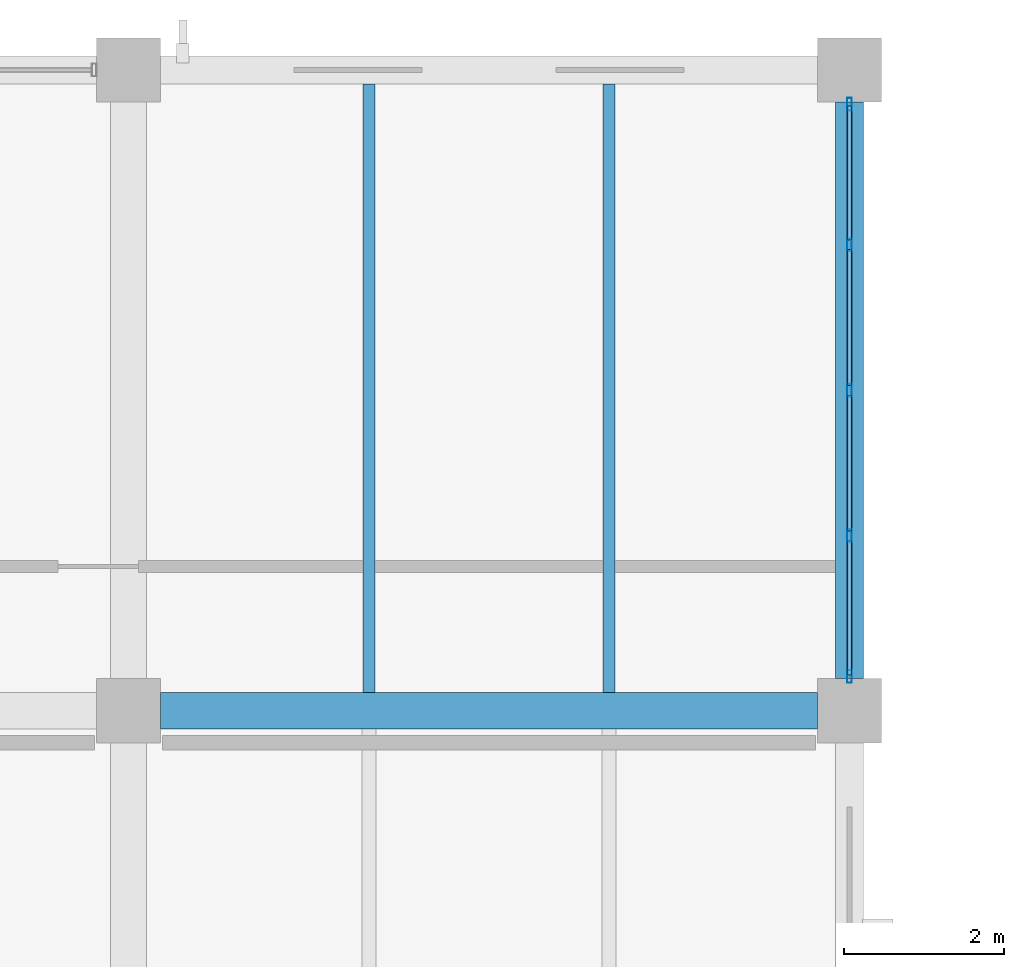
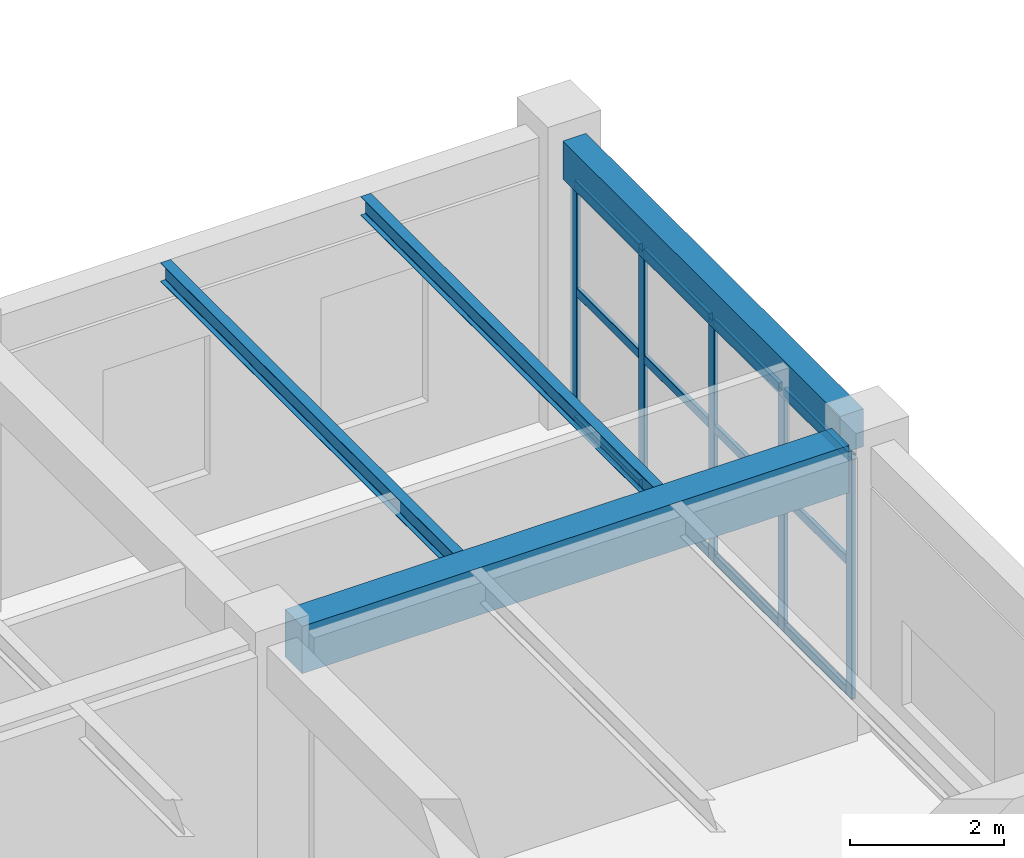
# One storey, part 95 of 178: 17 members, 4 beams, 1 element without a shape of its own.
"""IFC4 building model written with IfcOpenShell, lengths in metres."""

from ifc_helpers import new_model, si_unit, derived_unit, direction, frame, origin, origin_2d, place, context, subcontext, project, spatial, rectangle, hollow_rectangle, i_section, extrude, material, material_profile, profile_set, type_object, element, aggregate, save


model = new_model("IFC4")

# Units and contexts
model_context = context("Model", 3, precision=1e-05, world=origin(), true_north=direction((0.0, 1.0)))
body_context = subcontext(model_context, "Body", "Model", "MODEL_VIEW")
ifc_project = project(units=[si_unit("LENGTHUNIT", "METRE"), si_unit("AREAUNIT", "SQUARE_METRE"), si_unit("VOLUMEUNIT", "CUBIC_METRE"), si_unit("PLANEANGLEUNIT", "RADIAN"), si_unit("MASSUNIT", "GRAM", prefix="KILO"), derived_unit("THERMALTRANSMITTANCEUNIT", [(si_unit("MASSUNIT", "GRAM", prefix="KILO"), 1), (si_unit("TIMEUNIT", "SECOND"), -3), (si_unit("THERMODYNAMICTEMPERATUREUNIT", "KELVIN"), -1)])], contexts=[model_context])

# Site, building, storey
site_placement = place(None, origin())
site = spatial("IfcSite", under=ifc_project, at=site_placement, CompositionType="ELEMENT")
building_placement = place(site_placement, origin())
building = spatial("IfcBuilding", under=site, at=building_placement, Name="Zhenchuan Archway Interchange", CompositionType="ELEMENT")
storey_placement = place(building_placement, frame((0.0, 0.0, 5.39990234375)))
storey = spatial("IfcBuildingStorey", under=building, at=storey_placement, Name="L01", CompositionType="ELEMENT", Elevation=5.39990234375)

# Beam
ifc_material_1 = material(Name="Concrete C40", Category="concrete")
ifc_material_profile_1 = material_profile(ifc_material_1, rectangle(XDim=0.449951171875, YDim=0.75, at=origin_2d()), Name="RC 450x750")
ifc_profile_set_1 = profile_set([ifc_material_profile_1], Name="Concrete C40")
beam_type_1 = type_object("IfcBeamType", Name="BM_RC_450x750", PredefinedType="BEAM", material=ifc_profile_set_1)
beam_1_placement = place(storey_placement, frame((45.39990234375, 104.0, 4.135009765625), z_axis=(1.0, 0.0, 0.0), x_axis=(0.0, 1.0, 0.0)))
element("IfcBeam", 1, at=beam_1_placement, inside=storey, type_object=beam_type_1, Name="Beam O:6-7 (L01)", PredefinedType="BEAM", context=body_context, shape_type="SweptSolid", body=[
    extrude(rectangle(XDim=0.449951171875, YDim=0.75, at=origin_2d()), origin(), (0.0, 0.0, 1.0), 8.2001953125),
])

# Curtain wall, members
ifc_material_2 = material(Name="Anodised Aluminium", Category="aluminium")
curtain_wall_type = type_object("IfcCurtainWallType", Name="CW_UNIT_3", PredefinedType="NOTDEFINED", material=ifc_material_2)
curtain_wall_placement = place(storey_placement, origin())
curtain_wall = element("IfcCurtainWall", 2, at=curtain_wall_placement, inside=storey, type_object=curtain_wall_type, Name="Unitised curtain wall CW:L01:050", PredefinedType="NOTDEFINED")
ifc_material_profile_2 = material_profile(ifc_material_2, hollow_rectangle(XDim=0.06005859375, YDim=0.159912109375, WallThickness=0.00390625, InnerFilletRadius=0.00390625, OuterFilletRadius=0.008056640625, at=origin_2d()), Name="ALU 160x60x4")
ifc_profile_set_2 = profile_set([ifc_material_profile_2], Name="Anodised Aluminium")
member_type_1 = type_object("IfcMemberType", Name="CW_MUL_150", PredefinedType="MULLION", material=ifc_profile_set_2)
member_1_placement = place(storey_placement, frame((54.0, 111.572021484375, 0.0), z_axis=(0.0, 0.0, 1.0), x_axis=(1.0, 0.0, 0.0)))
member_1 = element("IfcMember", 3, at=member_1_placement, type_object=member_type_1, Name="CW:L01:050 mullion 0", PredefinedType="MULLION", context=body_context, shape_type="SweptSolid", body=[
    extrude(hollow_rectangle(XDim=0.06005859375, YDim=0.159912109375, WallThickness=0.00390625, InnerFilletRadius=0.00390625, OuterFilletRadius=0.008056640625, at=origin_2d()), origin(), (0.0, 0.0, 1.0), 3.880126953125),
])
member_2_placement = place(storey_placement, frame((54.0, 109.81591796875, 0.0), z_axis=(0.0, 0.0, 1.0), x_axis=(1.0, 0.0, 0.0)))
member_2 = element("IfcMember", 4, at=member_2_placement, type_object=member_type_1, Name="CW:L01:050 mullion 1", PredefinedType="MULLION", context=body_context, shape_type="SweptSolid", body=[
    extrude(hollow_rectangle(XDim=0.06005859375, YDim=0.159912109375, WallThickness=0.00390625, InnerFilletRadius=0.00390625, OuterFilletRadius=0.008056640625, at=origin_2d()), origin(), (0.0, 0.0, 1.0), 3.880126953125),
])
member_3_placement = place(storey_placement, frame((54.0, 108.0, 0.0), z_axis=(0.0, 0.0, 1.0), x_axis=(1.0, 0.0, 0.0)))
member_3 = element("IfcMember", 5, at=member_3_placement, type_object=member_type_1, Name="CW:L01:050 mullion 2", PredefinedType="MULLION", context=body_context, shape_type="SweptSolid", body=[
    extrude(hollow_rectangle(XDim=0.06005859375, YDim=0.159912109375, WallThickness=0.00390625, InnerFilletRadius=0.00390625, OuterFilletRadius=0.008056640625, at=origin_2d()), origin(), (0.0, 0.0, 1.0), 3.880126953125),
])
member_4_placement = place(storey_placement, frame((54.0, 106.18408203125, 0.0), z_axis=(0.0, 0.0, 1.0), x_axis=(1.0, 0.0, 0.0)))
member_4 = element("IfcMember", 6, at=member_4_placement, type_object=member_type_1, Name="CW:L01:050 mullion 3", PredefinedType="MULLION", context=body_context, shape_type="SweptSolid", body=[
    extrude(hollow_rectangle(XDim=0.06005859375, YDim=0.159912109375, WallThickness=0.00390625, InnerFilletRadius=0.00390625, OuterFilletRadius=0.008056640625, at=origin_2d()), origin(), (0.0, 0.0, 1.0), 3.880126953125),
])
member_5_placement = place(storey_placement, frame((54.0, 104.427978515625, 0.0), z_axis=(0.0, 0.0, 1.0), x_axis=(1.0, 0.0, 0.0)))
member_5 = element("IfcMember", 7, at=member_5_placement, type_object=member_type_1, Name="CW:L01:050 mullion 4", PredefinedType="MULLION", context=body_context, shape_type="SweptSolid", body=[
    extrude(hollow_rectangle(XDim=0.06005859375, YDim=0.159912109375, WallThickness=0.00390625, InnerFilletRadius=0.00390625, OuterFilletRadius=0.008056640625, at=origin_2d()), origin(), (0.0, 0.0, 1.0), 3.880126953125),
])
ifc_material_profile_3 = material_profile(ifc_material_2, hollow_rectangle(XDim=0.06005859375, YDim=0.139892578125, WallThickness=0.00341796875, InnerFilletRadius=0.00341796875, OuterFilletRadius=0.007080078125, at=origin_2d()), Name="ALU 140x60x3.5")
ifc_profile_set_3 = profile_set([ifc_material_profile_3], Name="Anodised Aluminium")
member_type_2 = type_object("IfcMemberType", Name="CW_TRN_140", PredefinedType="USERDEFINED", material=ifc_profile_set_3)
member_6_placement = place(storey_placement, frame((54.0, 111.552001953125, 0.06005859375), z_axis=(0.0, -1.0, 0.0), x_axis=(1.0, 0.0, 0.0)))
member_6 = element("IfcMember", 8, at=member_6_placement, type_object=member_type_2, Name="CW:L01:050 transom 0-1", ObjectType="TRANSOM", PredefinedType="USERDEFINED", context=body_context, shape_type="SweptSolid", body=[
    extrude(hollow_rectangle(XDim=0.06005859375, YDim=0.139892578125, WallThickness=0.00341796875, InnerFilletRadius=0.00341796875, OuterFilletRadius=0.007080078125, at=origin_2d()), origin(), (0.0, 0.0, 1.0), 1.676025390625),
])
member_7_placement = place(storey_placement, frame((54.0, 111.552001953125, 2.123046875), z_axis=(0.0, -1.0, 0.0), x_axis=(1.0, 0.0, 0.0)))
member_7 = element("IfcMember", 9, at=member_7_placement, type_object=member_type_2, Name="CW:L01:050 transom 0-2", ObjectType="TRANSOM", PredefinedType="USERDEFINED", context=body_context, shape_type="SweptSolid", body=[
    extrude(hollow_rectangle(XDim=0.06005859375, YDim=0.139892578125, WallThickness=0.00341796875, InnerFilletRadius=0.00341796875, OuterFilletRadius=0.007080078125, at=origin_2d()), origin(), (0.0, 0.0, 1.0), 1.676025390625),
])
member_8_placement = place(storey_placement, frame((54.0, 111.552001953125, 3.800048828125), z_axis=(0.0, -1.0, 0.0), x_axis=(1.0, 0.0, 0.0)))
member_8 = element("IfcMember", 10, at=member_8_placement, type_object=member_type_2, Name="CW:L01:050 transom 0-3", ObjectType="TRANSOM", PredefinedType="USERDEFINED", context=body_context, shape_type="SweptSolid", body=[
    extrude(hollow_rectangle(XDim=0.06005859375, YDim=0.139892578125, WallThickness=0.00341796875, InnerFilletRadius=0.00341796875, OuterFilletRadius=0.007080078125, at=origin_2d()), origin(), (0.0, 0.0, 1.0), 1.676025390625),
])
member_9_placement = place(storey_placement, frame((54.0, 109.756103515625, 0.06005859375), z_axis=(0.0, -1.0, 0.0), x_axis=(1.0, 0.0, 0.0)))
member_9 = element("IfcMember", 11, at=member_9_placement, type_object=member_type_2, Name="CW:L01:050 transom 1-1", ObjectType="TRANSOM", PredefinedType="USERDEFINED", context=body_context, shape_type="SweptSolid", body=[
    extrude(hollow_rectangle(XDim=0.06005859375, YDim=0.139892578125, WallThickness=0.00341796875, InnerFilletRadius=0.00341796875, OuterFilletRadius=0.007080078125, at=origin_2d()), origin(), (0.0, 0.0, 1.0), 1.696044921875),
])
member_10_placement = place(storey_placement, frame((54.0, 109.756103515625, 2.123046875), z_axis=(0.0, -1.0, 0.0), x_axis=(1.0, 0.0, 0.0)))
member_10 = element("IfcMember", 12, at=member_10_placement, type_object=member_type_2, Name="CW:L01:050 transom 1-2", ObjectType="TRANSOM", PredefinedType="USERDEFINED", context=body_context, shape_type="SweptSolid", body=[
    extrude(hollow_rectangle(XDim=0.06005859375, YDim=0.139892578125, WallThickness=0.00341796875, InnerFilletRadius=0.00341796875, OuterFilletRadius=0.007080078125, at=origin_2d()), origin(), (0.0, 0.0, 1.0), 1.696044921875),
])
member_11_placement = place(storey_placement, frame((54.0, 109.756103515625, 3.800048828125), z_axis=(0.0, -1.0, 0.0), x_axis=(1.0, 0.0, 0.0)))
member_11 = element("IfcMember", 13, at=member_11_placement, type_object=member_type_2, Name="CW:L01:050 transom 1-3", ObjectType="TRANSOM", PredefinedType="USERDEFINED", context=body_context, shape_type="SweptSolid", body=[
    extrude(hollow_rectangle(XDim=0.06005859375, YDim=0.139892578125, WallThickness=0.00341796875, InnerFilletRadius=0.00341796875, OuterFilletRadius=0.007080078125, at=origin_2d()), origin(), (0.0, 0.0, 1.0), 1.696044921875),
])
member_12_placement = place(storey_placement, frame((54.0, 107.93994140625, 0.06005859375), z_axis=(0.0, -1.0, 0.0), x_axis=(1.0, 0.0, 0.0)))
member_12 = element("IfcMember", 14, at=member_12_placement, type_object=member_type_2, Name="CW:L01:050 transom 2-1", ObjectType="TRANSOM", PredefinedType="USERDEFINED", context=body_context, shape_type="SweptSolid", body=[
    extrude(hollow_rectangle(XDim=0.06005859375, YDim=0.139892578125, WallThickness=0.00341796875, InnerFilletRadius=0.00341796875, OuterFilletRadius=0.007080078125, at=origin_2d()), origin(), (0.0, 0.0, 1.0), 1.696044921875),
])
member_13_placement = place(storey_placement, frame((54.0, 107.93994140625, 2.123046875), z_axis=(0.0, -1.0, 0.0), x_axis=(1.0, 0.0, 0.0)))
member_13 = element("IfcMember", 15, at=member_13_placement, type_object=member_type_2, Name="CW:L01:050 transom 2-2", ObjectType="TRANSOM", PredefinedType="USERDEFINED", context=body_context, shape_type="SweptSolid", body=[
    extrude(hollow_rectangle(XDim=0.06005859375, YDim=0.139892578125, WallThickness=0.00341796875, InnerFilletRadius=0.00341796875, OuterFilletRadius=0.007080078125, at=origin_2d()), origin(), (0.0, 0.0, 1.0), 1.696044921875),
])
member_14_placement = place(storey_placement, frame((54.0, 107.93994140625, 3.800048828125), z_axis=(0.0, -1.0, 0.0), x_axis=(1.0, 0.0, 0.0)))
member_14 = element("IfcMember", 16, at=member_14_placement, type_object=member_type_2, Name="CW:L01:050 transom 2-3", ObjectType="TRANSOM", PredefinedType="USERDEFINED", context=body_context, shape_type="SweptSolid", body=[
    extrude(hollow_rectangle(XDim=0.06005859375, YDim=0.139892578125, WallThickness=0.00341796875, InnerFilletRadius=0.00341796875, OuterFilletRadius=0.007080078125, at=origin_2d()), origin(), (0.0, 0.0, 1.0), 1.696044921875),
])
member_15_placement = place(storey_placement, frame((54.0, 106.1240234375, 0.06005859375), z_axis=(0.0, -1.0, 0.0), x_axis=(1.0, 0.0, 0.0)))
member_15 = element("IfcMember", 17, at=member_15_placement, type_object=member_type_2, Name="CW:L01:050 transom 3-1", ObjectType="TRANSOM", PredefinedType="USERDEFINED", context=body_context, shape_type="SweptSolid", body=[
    extrude(hollow_rectangle(XDim=0.06005859375, YDim=0.139892578125, WallThickness=0.00341796875, InnerFilletRadius=0.00341796875, OuterFilletRadius=0.007080078125, at=origin_2d()), origin(), (0.0, 0.0, 1.0), 1.676025390625),
])
member_16_placement = place(storey_placement, frame((54.0, 106.1240234375, 2.123046875), z_axis=(0.0, -1.0, 0.0), x_axis=(1.0, 0.0, 0.0)))
member_16 = element("IfcMember", 18, at=member_16_placement, type_object=member_type_2, Name="CW:L01:050 transom 3-2", ObjectType="TRANSOM", PredefinedType="USERDEFINED", context=body_context, shape_type="SweptSolid", body=[
    extrude(hollow_rectangle(XDim=0.06005859375, YDim=0.139892578125, WallThickness=0.00341796875, InnerFilletRadius=0.00341796875, OuterFilletRadius=0.007080078125, at=origin_2d()), origin(), (0.0, 0.0, 1.0), 1.676025390625),
])
member_17_placement = place(storey_placement, frame((54.0, 106.1240234375, 3.800048828125), z_axis=(0.0, -1.0, 0.0), x_axis=(1.0, 0.0, 0.0)))
member_17 = element("IfcMember", 19, at=member_17_placement, type_object=member_type_2, Name="CW:L01:050 transom 3-3", ObjectType="TRANSOM", PredefinedType="USERDEFINED", context=body_context, shape_type="SweptSolid", body=[
    extrude(hollow_rectangle(XDim=0.06005859375, YDim=0.139892578125, WallThickness=0.00341796875, InnerFilletRadius=0.00341796875, OuterFilletRadius=0.007080078125, at=origin_2d()), origin(), (0.0, 0.0, 1.0), 1.676025390625),
])
aggregate(curtain_wall, [member_1, member_2, member_3, member_4, member_5, member_6, member_7, member_8, member_9, member_10, member_11, member_12, member_13, member_14, member_15, member_16, member_17])

# Beams
ifc_material_3 = material(Name="Steel Q355", Category="steel")
ifc_material_profile_4 = material_profile(ifc_material_3, i_section(OverallWidth=0.14990234375, OverallDepth=0.300048828125, WebThickness=0.006591796875, FlangeThickness=0.009033203125, FilletRadius=0.012939453125, at=origin_2d()), Name="HN 300x150")
ifc_profile_set_4 = profile_set([ifc_material_profile_4], Name="Steel Q355")
beam_type_2 = type_object("IfcBeamType", Name="JST_STL_HN300", PredefinedType="JOIST", material=ifc_profile_set_4)
for number, where, z_axis, x_axis, name in (
    (20, (48.0, 104.22509765625, 4.360107421875), (0.0, 1.0, 0.0), (-1.0, 0.0, 0.0), "Secondary joist 6-7/O-P #1 (L01)"),
    (21, (51.0, 104.22509765625, 4.360107421875), (0.0, 1.0, 0.0), (-1.0, 0.0, 0.0), "Secondary joist 6-7/O-P #2 (L01)"),
):
    element("IfcBeam", number, at=place(storey_placement, frame(where, z_axis=z_axis, x_axis=x_axis)), inside=storey, type_object=beam_type_2, Name=name, PredefinedType="JOIST", context=body_context, shape_type="SweptSolid", body=[
        extrude(i_section(OverallWidth=0.14990234375, OverallDepth=0.300048828125, WebThickness=0.006591796875, FlangeThickness=0.009033203125, FilletRadius=0.012939453125, at=origin_2d()), origin(), (0.0, 0.0, 1.0), 7.599853515625),
    ])
ifc_material_profile_5 = material_profile(ifc_material_1, rectangle(XDim=0.35009765625, YDim=0.60009765625, at=origin_2d()), Name="RC 350x600")
ifc_profile_set_5 = profile_set([ifc_material_profile_5], Name="Concrete C40")
beam_type_3 = type_object("IfcBeamType", Name="SP_RC_350x600", PredefinedType="SPANDREL", material=ifc_profile_set_5)
beam_2_placement = place(storey_placement, frame((54.0, 104.39990234375, 4.210205078125), z_axis=(0.0, 1.0, 0.0), x_axis=(-1.0, 0.0, 0.0)))
element("IfcBeam", 22, at=beam_2_placement, inside=storey, type_object=beam_type_3, Name="Beam 7:O-P (L01)", PredefinedType="SPANDREL", context=body_context, shape_type="SweptSolid", body=[
    extrude(rectangle(XDim=0.35009765625, YDim=0.60009765625, at=origin_2d()), origin(), (0.0, 0.0, 1.0), 7.2001953125),
])

save(model, "model.ifc")
